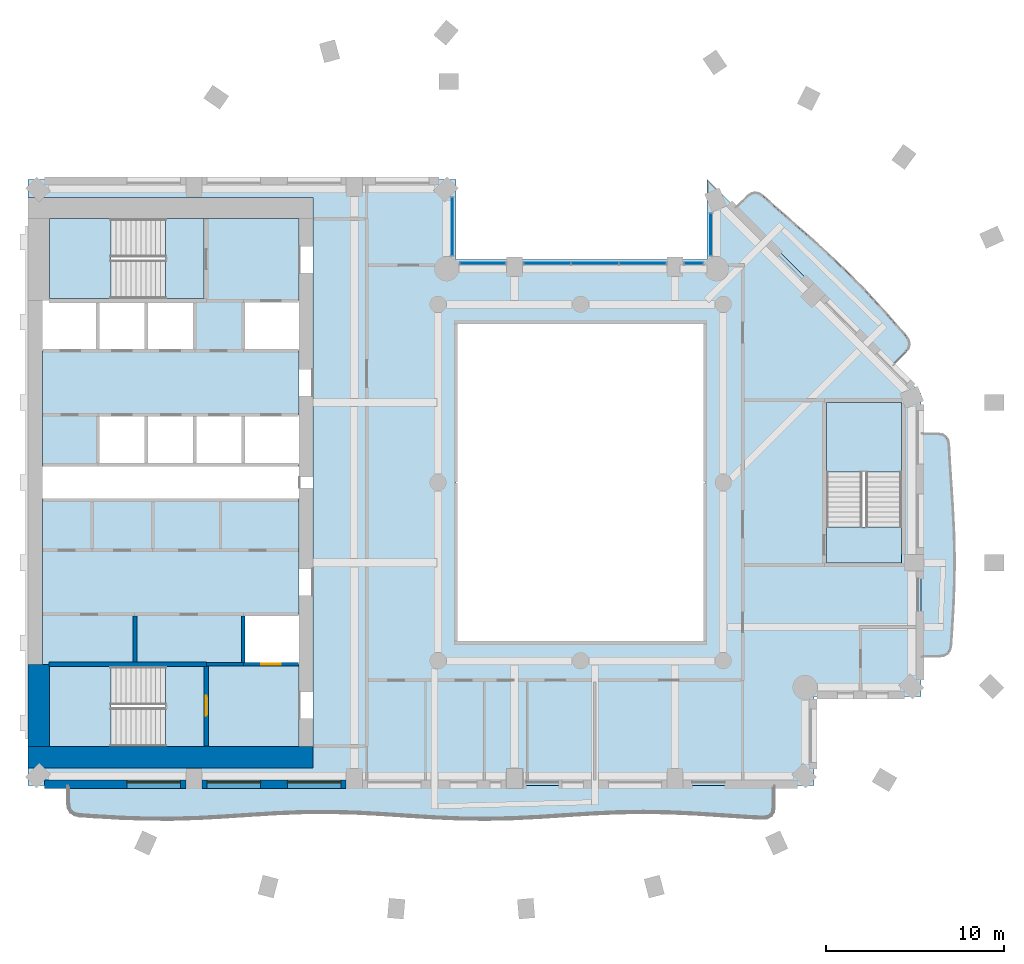
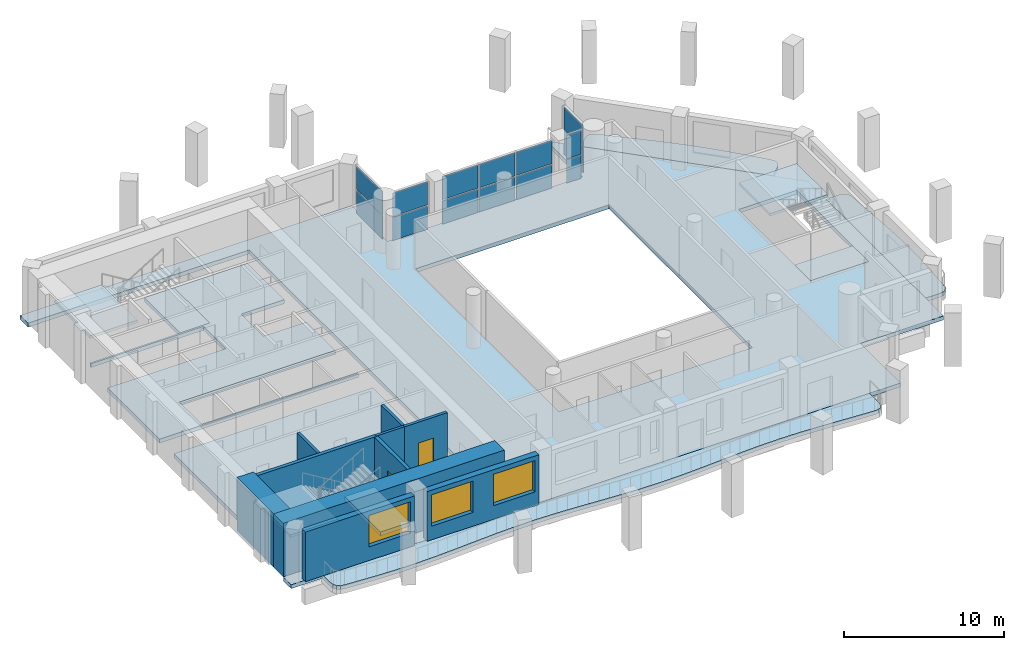
# One storey, part 3 of 13: 14 plates, 12 slabs, 10 walls, 3 windows, 2 doors, 5 openings, 8 elements without a shape of their own.
"""IFC4 building model written with IfcOpenShell, lengths in metres."""

from ifc_helpers import new_model, si_unit, direction, frame, frame_2d, origin, origin_2d, place, context, subcontext, project, spatial, polyline, rectangle, outline, extrude, material, layer, layer_set, type_object, element, fill, aggregate, save


model = new_model("IFC4")

# Units and contexts
model_context = context("Model", 3, precision=1e-05, world=origin(), true_north=direction((0.0, 1.0)))
body_context = subcontext(model_context, "Body", "Model", "MODEL_VIEW")
ifc_project = project(units=[si_unit("LENGTHUNIT", "METRE"), si_unit("AREAUNIT", "SQUARE_METRE"), si_unit("VOLUMEUNIT", "CUBIC_METRE"), si_unit("PLANEANGLEUNIT", "RADIAN"), si_unit("MASSUNIT", "GRAM", prefix="KILO")], contexts=[model_context])

# Site, building, storey
site_placement = place(None, origin())
site = spatial("IfcSite", under=ifc_project, at=site_placement, CompositionType="ELEMENT")
building_placement = place(site_placement, origin())
building = spatial("IfcBuilding", under=site, at=building_placement, Name="Cypress Arch Tower", CompositionType="ELEMENT")
storey_placement = place(building_placement, frame((0.0, 0.0, 189.199951171875)))
storey = spatial("IfcBuildingStorey", under=building, at=storey_placement, Name="L41", CompositionType="ELEMENT", Elevation=189.199951171875)

# Slabs
ifc_material_1 = material(Name="Concrete C40/50", Category="concrete")
ifc_layer_1 = layer(ifc_material_1, 0.300048828125)
ifc_layer_set_1 = layer_set([ifc_layer_1], Name="Balcony slab BS300")
slab_type_1 = type_object("IfcSlabType", Name="Balcony slab BS300", PredefinedType="USERDEFINED", material=ifc_layer_set_1)
slab_1_placement = place(storey_placement, frame((0.0, 0.0, -0.300048828125)))
element("IfcSlab", 1, at=slab_1_placement, inside=storey, type_object=slab_type_1, Name="Balcony slab L41-B01", ObjectType="BALCONY SLAB", PredefinedType="USERDEFINED", context=body_context, shape_type="SweptSolid", body=[
    extrude(outline(polyline([(-27.75, -17.0), (-27.75, -17.98193359375), (-27.708740234375, -18.274169921875), (-27.5849609375, -18.4892578125), (-27.378662109375, -18.626953125), (-27.090087890625, -18.687744140625), (-26.283447265625, -18.741455078125), (-24.816650390625, -18.827392578125), (-23.35009765625, -18.87890625), (-21.88330078125, -18.8828125), (-20.416748046875, -18.83837890625), (-18.949951171875, -18.756591796875), (-17.4833984375, -18.658935546875), (-16.0166015625, -18.570068359375), (-14.550048828125, -18.512939453125), (-13.083251953125, -18.501953125), (-11.61669921875, -18.540283203125), (-10.14990234375, -18.617919921875), (-8.683349609375, -18.715087890625), (-7.216552734375, -18.806640625), (-5.75, -18.869140625), (-4.283447265625, -18.88671875), (-2.816650390625, -18.854736328125), (-1.35009765625, -18.781494140625), (0.11669921875, -18.685791015625), (1.583251953125, -18.592041015625), (3.050048828125, -18.524169921875), (4.5166015625, -18.5), (5.9833984375, -18.525390625), (7.449951171875, -18.593994140625), (8.916748046875, -18.68798828125), (10.38330078125, -18.783447265625), (11.18994140625, -18.823486328125), (11.478759765625, -18.79638671875), (11.68505859375, -18.6826171875), (11.808837890625, -18.482177734375), (11.85009765625, -18.1953125), (11.85009765625, -17.0), (-27.75, -17.0)])), origin(), (0.0, 0.0, 1.0), 0.300048828125),
])
slab_2_placement = place(storey_placement, frame((0.0, 0.0, -0.300048828125)))
element("IfcSlab", 2, at=slab_2_placement, inside=storey, type_object=slab_type_1, Name="Balcony slab L41-B04", ObjectType="BALCONY SLAB", PredefinedType="USERDEFINED", context=body_context, shape_type="SweptSolid", body=[
    extrude(outline(polyline([(20.10009765625, -9.75), (21.1171875, -9.75), (21.393798828125, -9.7109375), (21.597412109375, -9.59375), (21.727783203125, -9.3984375), (21.785400390625, -9.125), (21.83642578125, -8.361083984375), (21.91943359375, -6.97216796875), (21.9736328125, -5.583251953125), (21.986083984375, -4.1943359375), (21.954345703125, -2.8056640625), (21.885498046875, -1.416748046875), (21.79541015625, -0.02783203125), (21.705078125, 1.361083984375), (21.66650390625, 2.125), (21.613525390625, 2.3984375), (21.486328125, 2.59375), (21.284912109375, 2.7109375), (21.00927734375, 2.75), (20.10009765625, 2.75), (20.10009765625, -9.75)])), origin(), (0.0, 0.0, 1.0), 0.300048828125),
])
slab_3_placement = place(storey_placement, frame((0.0, 0.0, -0.300048828125)))
element("IfcSlab", 3, at=slab_3_placement, inside=storey, type_object=slab_type_1, Name="Balcony slab L41-B05", ObjectType="BALCONY SLAB", PredefinedType="USERDEFINED", context=body_context, shape_type="SweptSolid", body=[
    extrude(outline(polyline([(18.509033203125, 6.591064453125), (19.229248046875, 7.311279296875), (19.39697265625, 7.533935546875), (19.457763671875, 7.76025390625), (19.412109375, 7.990234375), (19.259765625, 8.2236328125), (18.7568359375, 8.798583984375), (17.835693359375, 9.8369140625), (16.894287109375, 10.85498046875), (15.923583984375, 11.843994140625), (14.921875, 12.801513671875), (13.893798828125, 13.733154296875), (12.8505859375, 14.6494140625), (11.806884765625, 15.565185546875), (11.240478515625, 16.07666015625), (11.01025390625, 16.232177734375), (10.78271484375, 16.2802734375), (10.557861328125, 16.220703125), (10.335693359375, 16.0537109375), (9.69091796875, 15.408935546875), (18.509033203125, 6.591064453125)])), origin(), (0.0, 0.0, 1.0), 0.300048828125),
])
ifc_material_2 = material(Name="Concrete C40/50", Category="concrete")
ifc_layer_2 = layer(ifc_material_2, 0.300048828125)
ifc_layer_set_2 = layer_set([ifc_layer_2], Name="Core floor CF300")
slab_type_2 = type_object("IfcSlabType", Name="Core floor CF300", PredefinedType="FLOOR", material=ifc_layer_set_2)
slab_4_placement = place(storey_placement, frame((0.0, 0.0, -0.300048828125)))
element("IfcSlab", 4, at=slab_4_placement, inside=storey, type_object=slab_type_2, Name="Core floor", PredefinedType="FLOOR", context=body_context, shape_type="SweptSolid", body=[
    extrude(outline(polyline([(-28.800048828125, -10.199951171875), (-29.199951171875, -10.199951171875), (-29.199951171875, -0.89990234375), (-15.199951171875, -0.89990234375), (-14.800048828125, -0.89990234375), (-14.800048828125, -7.39990234375), (-15.199951171875, -7.39990234375), (-17.919921875, -7.39990234375), (-17.919921875, -10.199951171875), (-15.199951171875, -10.199951171875), (-14.800048828125, -10.199951171875), (-14.800048828125, -14.800048828125), (-15.199951171875, -14.800048828125), (-20.125, -14.800048828125), (-20.125, -10.324951171875), (-22.27490234375, -10.324951171875), (-28.800048828125, -10.324951171875), (-28.800048828125, -10.199951171875)])), origin(), (0.0, 0.0, 1.0), 0.300048828125),
])
slab_5_placement = place(storey_placement, frame((0.0, 0.0, -0.300048828125)))
element("IfcSlab", 5, at=slab_5_placement, inside=storey, type_object=slab_type_2, Name="Core floor", PredefinedType="FLOOR", context=body_context, shape_type="SweptSolid", body=[
    extrude(outline(polyline([(-22.27490234375, -10.324951171875), (-22.27490234375, -14.800048828125), (-20.125, -14.800048828125), (-20.125, -10.324951171875), (-22.27490234375, -10.324951171875)])), origin(), (0.0, 0.0, 1.0), 0.300048828125),
])
slab_6_placement = place(storey_placement, frame((0.0, 0.0, -0.300048828125)))
element("IfcSlab", 6, at=slab_6_placement, inside=storey, type_object=slab_type_2, Name="Core floor", PredefinedType="FLOOR", context=body_context, shape_type="SweptSolid", body=[
    extrude(outline(polyline([(-20.125, 14.800048828125), (-22.27490234375, 14.800048828125), (-22.27490234375, 10.324951171875), (-20.125, 10.324951171875), (-20.125, 14.800048828125)])), origin(), (0.0, 0.0, 1.0), 0.300048828125),
])
slab_7_placement = place(storey_placement, frame((0.0, 0.0, -0.300048828125)))
element("IfcSlab", 7, at=slab_7_placement, inside=storey, type_object=slab_type_2, Name="Stair floor landing", PredefinedType="FLOOR", context=body_context, shape_type="SweptSolid", body=[
    extrude(outline(polyline([(19.0, -4.5), (19.0, -2.5), (14.800048828125, -2.5), (14.800048828125, -4.5), (19.0, -4.5)])), origin(), (0.0, 0.0, 1.0), 0.300048828125),
])
slab_8_placement = place(storey_placement, frame((0.0, 0.0, -0.300048828125)))
element("IfcSlab", 8, at=slab_8_placement, inside=storey, type_object=slab_type_2, Name="Core floor", PredefinedType="FLOOR", context=body_context, shape_type="SweptSolid", body=[
    extrude(outline(polyline([(-20.639892578125, 7.39990234375), (-20.639892578125, 10.199951171875), (-23.360107421875, 10.199951171875), (-26.080078125, 10.199951171875), (-28.800048828125, 10.199951171875), (-28.800048828125, 10.324951171875), (-22.27490234375, 10.324951171875), (-20.125, 10.324951171875), (-20.125, 14.800048828125), (-15.199951171875, 14.800048828125), (-14.800048828125, 14.800048828125), (-14.800048828125, 10.199951171875), (-15.199951171875, 10.199951171875), (-17.919921875, 10.199951171875), (-17.919921875, 7.39990234375), (-15.199951171875, 7.39990234375), (-14.800048828125, 7.39990234375), (-14.800048828125, 3.800048828125), (-15.199951171875, 3.800048828125), (-17.919921875, 3.800048828125), (-20.639892578125, 3.800048828125), (-23.360107421875, 3.800048828125), (-26.080078125, 3.800048828125), (-26.080078125, 1.5), (-26.080078125, 1.5), (-26.080078125, 1.0), (-25.679931640625, 1.0), (-23.360107421875, 1.0), (-20.639892578125, 1.0), (-17.919921875, 1.0), (-15.199951171875, 1.0), (-14.800048828125, 1.0), (-14.800048828125, 0.89990234375), (-15.199951171875, 0.89990234375), (-25.679931640625, 0.89990234375), (-26.47998046875, 0.89990234375), (-29.199951171875, 0.89990234375), (-29.199951171875, 1.5), (-29.199951171875, 7.39990234375), (-26.080078125, 7.39990234375), (-23.360107421875, 7.39990234375), (-20.639892578125, 7.39990234375)])), origin(), (0.0, 0.0, 1.0), 0.300048828125),
])

# Curtain wall, plates
ifc_material_3 = material(Name="Anodised aluminium, bronze finish, clear laminated double glazing", Category="aluminium")
curtain_wall_type = type_object("IfcCurtainWallType", Name="Curtain wall CW7 slot glazing", PredefinedType="NOTDEFINED", material=ifc_material_3)
curtain_wall_1_placement = place(storey_placement, origin())
curtain_wall_1 = element("IfcCurtainWall", 9, at=curtain_wall_1_placement, inside=storey, type_object=curtain_wall_type, Name="Curtain wall L41 slot B06.0", PredefinedType="NOTDEFINED")
ifc_material_4 = material(Name="Clear laminated double glazing", Category="glass")
ifc_layer_3 = layer(ifc_material_4, 0.0439453125)
ifc_layer_set_3 = layer_set([ifc_layer_3], Name="Glass panel CW7 44")
plate_type = type_object("IfcPlateType", Name="Glass panel CW7 44", PredefinedType="CURTAIN_PANEL", material=ifc_layer_set_3)
plate_1_placement = place(storey_placement, frame((8.300048828125, 13.912353515625, 0.0849609375), z_axis=(0.0, 0.0, 1.0), x_axis=(0.0, -1.0, 0.0)))
plate_1 = element("IfcPlate", 10, at=plate_1_placement, type_object=plate_type, Name="CW7 panel 1.1", PredefinedType="CURTAIN_PANEL", context=body_context, shape_type="SweptSolid", body=[
    extrude(rectangle(XDim=2.345458984375, YDim=0.0439453125, at=origin_2d()), origin(), (0.0, 0.0, 1.0), 1.7724609375),
])
plate_2_placement = place(storey_placement, frame((8.300048828125, 13.912353515625, 1.942626953125), z_axis=(0.0, 0.0, 1.0), x_axis=(0.0, -1.0, 0.0)))
plate_2 = element("IfcPlate", 11, at=plate_2_placement, type_object=plate_type, Name="CW7 panel 1.2", PredefinedType="CURTAIN_PANEL", context=body_context, shape_type="SweptSolid", body=[
    extrude(rectangle(XDim=2.345458984375, YDim=0.0439453125, at=origin_2d()), origin(), (0.0, 0.0, 1.0), 1.7724609375),
])
aggregate(curtain_wall_1, [plate_1, plate_2])

curtain_wall_2_placement = place(storey_placement, origin())
curtain_wall_2 = element("IfcCurtainWall", 12, at=curtain_wall_2_placement, inside=storey, type_object=curtain_wall_type, Name="Curtain wall L41 slot B07.0", PredefinedType="NOTDEFINED")
plate_3_placement = place(storey_placement, frame((7.34765625, 12.300048828125, 0.0849609375), z_axis=(0.0, 0.0, 1.0), x_axis=(-1.0, 0.0, 0.0)))
plate_3 = element("IfcPlate", 13, at=plate_3_placement, type_object=plate_type, Name="CW7 panel 1.1", PredefinedType="CURTAIN_PANEL", context=body_context, shape_type="SweptSolid", body=[
    extrude(rectangle(XDim=1.025390625, YDim=0.0439453125, at=origin_2d()), origin(), (0.0, 0.0, 1.0), 1.7724609375),
])
plate_4_placement = place(storey_placement, frame((7.34765625, 12.300048828125, 1.942626953125), z_axis=(0.0, 0.0, 1.0), x_axis=(-1.0, 0.0, 0.0)))
plate_4 = element("IfcPlate", 14, at=plate_4_placement, type_object=plate_type, Name="CW7 panel 1.2", PredefinedType="CURTAIN_PANEL", context=body_context, shape_type="SweptSolid", body=[
    extrude(rectangle(XDim=1.025390625, YDim=0.0439453125, at=origin_2d()), origin(), (0.0, 0.0, 1.0), 1.7724609375),
])
aggregate(curtain_wall_2, [plate_3, plate_4])

curtain_wall_3_placement = place(storey_placement, origin())
curtain_wall_3 = element("IfcCurtainWall", 15, at=curtain_wall_3_placement, inside=storey, type_object=curtain_wall_type, Name="Curtain wall L41 slot B07.1", PredefinedType="NOTDEFINED")
plate_5_placement = place(storey_placement, frame((4.478759765625, 12.300048828125, 0.0849609375), z_axis=(0.0, 0.0, 1.0), x_axis=(-1.0, 0.0, 0.0)))
plate_5 = element("IfcPlate", 16, at=plate_5_placement, type_object=plate_type, Name="CW7 panel 1.1", PredefinedType="CURTAIN_PANEL", context=body_context, shape_type="SweptSolid", body=[
    extrude(rectangle(XDim=2.572509765625, YDim=0.0439453125, at=origin_2d()), origin(), (0.0, 0.0, 1.0), 1.7724609375),
])
plate_6_placement = place(storey_placement, frame((4.478759765625, 12.300048828125, 1.942626953125), z_axis=(0.0, 0.0, 1.0), x_axis=(-1.0, 0.0, 0.0)))
plate_6 = element("IfcPlate", 17, at=plate_6_placement, type_object=plate_type, Name="CW7 panel 1.2", PredefinedType="CURTAIN_PANEL", context=body_context, shape_type="SweptSolid", body=[
    extrude(rectangle(XDim=2.572509765625, YDim=0.0439453125, at=origin_2d()), origin(), (0.0, 0.0, 1.0), 1.7724609375),
])
plate_7_placement = place(storey_placement, frame((1.800048828125, 12.300048828125, 0.0849609375), z_axis=(0.0, 0.0, 1.0), x_axis=(-1.0, 0.0, 0.0)))
plate_7 = element("IfcPlate", 18, at=plate_7_placement, type_object=plate_type, Name="CW7 panel 2.1", PredefinedType="CURTAIN_PANEL", context=body_context, shape_type="SweptSolid", body=[
    extrude(rectangle(XDim=2.614990234375, YDim=0.0439453125, at=origin_2d()), origin(), (0.0, 0.0, 1.0), 1.7724609375),
])
plate_8_placement = place(storey_placement, frame((1.800048828125, 12.300048828125, 1.942626953125), z_axis=(0.0, 0.0, 1.0), x_axis=(-1.0, 0.0, 0.0)))
plate_8 = element("IfcPlate", 19, at=plate_8_placement, type_object=plate_type, Name="CW7 panel 2.2", PredefinedType="CURTAIN_PANEL", context=body_context, shape_type="SweptSolid", body=[
    extrude(rectangle(XDim=2.614990234375, YDim=0.0439453125, at=origin_2d()), origin(), (0.0, 0.0, 1.0), 1.7724609375),
])
plate_9_placement = place(storey_placement, frame((-0.878662109375, 12.300048828125, 0.0849609375), z_axis=(0.0, 0.0, 1.0), x_axis=(-1.0, 0.0, 0.0)))
plate_9 = element("IfcPlate", 20, at=plate_9_placement, type_object=plate_type, Name="CW7 panel 3.1", PredefinedType="CURTAIN_PANEL", context=body_context, shape_type="SweptSolid", body=[
    extrude(rectangle(XDim=2.572509765625, YDim=0.0439453125, at=origin_2d()), origin(), (0.0, 0.0, 1.0), 1.7724609375),
])
plate_10_placement = place(storey_placement, frame((-0.878662109375, 12.300048828125, 1.942626953125), z_axis=(0.0, 0.0, 1.0), x_axis=(-1.0, 0.0, 0.0)))
plate_10 = element("IfcPlate", 21, at=plate_10_placement, type_object=plate_type, Name="CW7 panel 3.2", PredefinedType="CURTAIN_PANEL", context=body_context, shape_type="SweptSolid", body=[
    extrude(rectangle(XDim=2.572509765625, YDim=0.0439453125, at=origin_2d()), origin(), (0.0, 0.0, 1.0), 1.7724609375),
])
aggregate(curtain_wall_3, [plate_5, plate_6, plate_7, plate_8, plate_9, plate_10])

curtain_wall_4_placement = place(storey_placement, origin())
curtain_wall_4 = element("IfcCurtainWall", 22, at=curtain_wall_4_placement, inside=storey, type_object=curtain_wall_type, Name="Curtain wall L41 slot B07.2", PredefinedType="NOTDEFINED")
plate_11_placement = place(storey_placement, frame((-4.497802734375, 12.300048828125, 0.0849609375), z_axis=(0.0, 0.0, 1.0), x_axis=(-1.0, 0.0, 0.0)))
plate_11 = element("IfcPlate", 23, at=plate_11_placement, type_object=plate_type, Name="CW7 panel 1.1", PredefinedType="CURTAIN_PANEL", context=body_context, shape_type="SweptSolid", body=[
    extrude(rectangle(XDim=2.525390625, YDim=0.0439453125, at=origin_2d()), origin(), (0.0, 0.0, 1.0), 1.7724609375),
])
plate_12_placement = place(storey_placement, frame((-4.497802734375, 12.300048828125, 1.942626953125), z_axis=(0.0, 0.0, 1.0), x_axis=(-1.0, 0.0, 0.0)))
plate_12 = element("IfcPlate", 24, at=plate_12_placement, type_object=plate_type, Name="CW7 panel 1.2", PredefinedType="CURTAIN_PANEL", context=body_context, shape_type="SweptSolid", body=[
    extrude(rectangle(XDim=2.525390625, YDim=0.0439453125, at=origin_2d()), origin(), (0.0, 0.0, 1.0), 1.7724609375),
])
aggregate(curtain_wall_4, [plate_11, plate_12])

curtain_wall_5_placement = place(storey_placement, origin())
curtain_wall_5 = element("IfcCurtainWall", 25, at=curtain_wall_5_placement, inside=storey, type_object=curtain_wall_type, Name="Curtain wall L41 slot B08.0", PredefinedType="NOTDEFINED")
plate_13_placement = place(storey_placement, frame((-6.199951171875, 14.359130859375, 0.0849609375), z_axis=(0.0, 0.0, 1.0), x_axis=(0.0, 1.0, 0.0)))
plate_13 = element("IfcPlate", 26, at=plate_13_placement, type_object=plate_type, Name="CW7 panel 1.1", PredefinedType="CURTAIN_PANEL", context=body_context, shape_type="SweptSolid", body=[
    extrude(rectangle(XDim=3.239013671875, YDim=0.0439453125, at=origin_2d()), origin(), (0.0, 0.0, 1.0), 1.7724609375),
])
plate_14_placement = place(storey_placement, frame((-6.199951171875, 14.359130859375, 1.942626953125), z_axis=(0.0, 0.0, 1.0), x_axis=(0.0, 1.0, 0.0)))
plate_14 = element("IfcPlate", 27, at=plate_14_placement, type_object=plate_type, Name="CW7 panel 1.2", PredefinedType="CURTAIN_PANEL", context=body_context, shape_type="SweptSolid", body=[
    extrude(rectangle(XDim=3.239013671875, YDim=0.0439453125, at=origin_2d()), origin(), (0.0, 0.0, 1.0), 1.7724609375),
])
aggregate(curtain_wall_5, [plate_13, plate_14])

# Slab
ifc_material_5 = material(Name="Concrete C40/50", Category="concrete")
ifc_layer_4 = layer(ifc_material_5, 0.300048828125)
ifc_layer_set_4 = layer_set([ifc_layer_4], Name="PT flat slab 300 Concrete C40/50")
slab_type_3 = type_object("IfcSlabType", Name="PT flat slab 300 Concrete C40/50", PredefinedType="FLOOR", material=ifc_layer_set_4)
slab_9_placement = place(storey_placement, frame((0.0, 0.0, -0.300048828125)))
element("IfcSlab", 28, at=slab_9_placement, inside=storey, type_object=slab_type_3, Name="Floor slab L41", PredefinedType="FLOOR", context=body_context, shape_type="SweptSolid", body=[
    extrude(outline(polyline([(-30.0, 17.0), (-6.0, 17.0), (-6.0, 12.5), (8.10009765625, 12.5), (8.10009765625, 17.0), (20.10009765625, 5.0), (20.10009765625, -12.0), (14.10009765625, -12.0), (14.10009765625, -17.0), (-30.0, -17.0), (-30.0, -16.0), (-14.0, -16.0), (-14.0, 16.0), (-30.0, 16.0), (-30.0, 17.0)]), holes=[polyline([(-6.0, -9.0), (8.0, -9.0), (8.0, 9.0), (-6.0, 9.0), (-6.0, -9.0)]), polyline([(14.800048828125, -4.5), (19.0, -4.5), (19.0, 4.5), (14.800048828125, 4.5), (14.800048828125, -4.5)])]), origin(), (0.0, 0.0, 1.0), 0.300048828125),
])

# Stair, slab
ifc_material_6 = material(Name="Concrete C40/50", Category="concrete")
stair_type_1 = type_object("IfcStairType", Name="Exit stair ES1708-215", PredefinedType="HALF_TURN_STAIR", material=ifc_material_6)
stair_1_placement = place(storey_placement, origin())
stair_1 = element("IfcStair", 29, at=stair_1_placement, inside=storey, type_object=stair_type_1, Name="L41 Exit stair A", PredefinedType="HALF_TURN_STAIR")
ifc_material_7 = material(Name="Concrete C40/50", Category="concrete")
ifc_layer_5 = layer(ifc_material_7, 0.199951171875)
ifc_layer_set_5 = layer_set([ifc_layer_5], Name="Stair landing SL200")
slab_type_4 = type_object("IfcSlabType", Name="Stair landing SL200", PredefinedType="LANDING", material=ifc_layer_set_5)
slab_10_placement = place(storey_placement, frame((0.0, 0.0, 1.85009765625)))
slab_10 = element("IfcSlab", 30, at=slab_10_placement, type_object=slab_type_4, Name="A landing 1", PredefinedType="LANDING", context=body_context, shape_type="SweptSolid", body=[
    extrude(outline(polyline([(-25.35498046875, -10.324951171875), (-28.800048828125, -10.324951171875), (-28.800048828125, -14.800048828125), (-25.35498046875, -14.800048828125), (-25.35498046875, -10.324951171875)])), origin(), (0.0, 0.0, 1.0), 0.199951171875),
])
aggregate(stair_1, [slab_10])

stair_2_placement = place(storey_placement, origin())
stair_2 = element("IfcStair", 31, at=stair_2_placement, inside=storey, type_object=stair_type_1, Name="L41 Exit stair B", PredefinedType="HALF_TURN_STAIR")
slab_11_placement = place(storey_placement, frame((0.0, 0.0, 1.85009765625)))
slab_11 = element("IfcSlab", 32, at=slab_11_placement, type_object=slab_type_4, Name="B landing 1", PredefinedType="LANDING", context=body_context, shape_type="SweptSolid", body=[
    extrude(outline(polyline([(-25.35498046875, 14.800048828125), (-28.800048828125, 14.800048828125), (-28.800048828125, 10.324951171875), (-25.35498046875, 10.324951171875), (-25.35498046875, 14.800048828125)])), origin(), (0.0, 0.0, 1.0), 0.199951171875),
])
aggregate(stair_2, [slab_11])

ifc_material_8 = material(Name="Concrete C40/50", Category="concrete")
stair_type_2 = type_object("IfcStairType", Name="Exit stair ES1708-200", PredefinedType="HALF_TURN_STAIR", material=ifc_material_8)
stair_3_placement = place(storey_placement, origin())
stair_3 = element("IfcStair", 33, at=stair_3_placement, inside=storey, type_object=stair_type_2, Name="L41 Exit stair C", PredefinedType="HALF_TURN_STAIR")
slab_12_placement = place(storey_placement, frame((0.0, 0.0, 1.85009765625)))
slab_12 = element("IfcSlab", 34, at=slab_12_placement, type_object=slab_type_4, Name="C landing 1", PredefinedType="LANDING", context=body_context, shape_type="SweptSolid", body=[
    extrude(outline(polyline([(19.0, 0.580078125), (19.0, 4.5), (14.800048828125, 4.5), (14.800048828125, 0.580078125), (19.0, 0.580078125)])), origin(), (0.0, 0.0, 1.0), 0.199951171875),
])
aggregate(stair_3, [slab_12])

# Wall, opening, window
ifc_material_9 = material(Name="Brick (red buff blend)", Category="masonry")
ifc_layer_6 = layer(ifc_material_9, 0.449951171875)
ifc_layer_set_6 = layer_set([ifc_layer_6], Name="Brick pier and spandrel wall BW450")
wall_type_1 = type_object("IfcWallType", Name="Brick pier and spandrel wall BW450", PredefinedType="SOLIDWALL", material=ifc_layer_set_6)
wall_1_placement = place(storey_placement, frame((-29.063720703125, -16.925048828125, 0.0), z_axis=(0.0, 0.0, 1.0), x_axis=(1.0, 0.0, 0.0)))
wall_1 = element("IfcWall", 35, at=wall_1_placement, inside=storey, type_object=wall_type_1, Name="Brick wall L41 B01.0", PredefinedType="SOLIDWALL", context=body_context, shape_type="SweptSolid", body=[
    extrude(rectangle(XDim=7.913818359375, YDim=0.449951171875, at=frame_2d((3.95703125, 0.0))), origin(), (0.0, 0.0, 1.0), 3.800048828125),
])
opening_1_placement = place(wall_1_placement, frame((4.613525390625, 0.0, 1.050048828125)))
opening_1 = element("IfcOpeningElement", 36, at=opening_1_placement, cuts=wall_1, Name="Opening W300OD", PredefinedType="OPENING", context=body_context, shape_type="SweptSolid", body=[
    extrude(rectangle(XDim=3.0, YDim=2.39990234375, at=frame_2d((1.5, 1.199951171875))), frame((0.0, 0.23486328125, 0.0), z_axis=(0.0, -1.0, 0.0), x_axis=(1.0, 0.0, 0.0)), (0.0, 0.0, 1.0), 0.469970703125),
])
ifc_material_10 = material(Name="Anodised aluminium, bronze finish, laminated low-emissivity double glazing, large-missile impact rated", Category="aluminium")
window_type = type_object("IfcWindowType", Name="Window Office 3000x2400 debris-rated", PartitioningType="SINGLE_PANEL", PredefinedType="WINDOW", material=ifc_material_10)
window_1_placement = place(opening_1_placement, origin())
window_1 = element("IfcWindow", 37, at=window_1_placement, inside=storey, type_object=window_type, Name="Window L41 B01.0.2", OverallHeight=2.39990234375, OverallWidth=3.0, PartitioningType="SINGLE_PANEL", PredefinedType="WINDOW", context=body_context, shape_type="SweptSolid", body=[
    extrude(rectangle(XDim=3.0, YDim=2.39990234375, at=frame_2d((1.5, 1.199951171875))), frame((0.0, 0.135009765625, 0.0), z_axis=(0.0, -1.0, 0.0), x_axis=(1.0, 0.0, 0.0)), (0.0, 0.0, 1.0), 0.06005859375),
])
fill(opening_1, window_1)

# Wall, openings, windows
wall_2_placement = place(storey_placement, frame((-20.25, -16.925048828125, 0.0), z_axis=(0.0, 0.0, 1.0), x_axis=(1.0, 0.0, 0.0)))
wall_2 = element("IfcWall", 38, at=wall_2_placement, inside=storey, type_object=wall_type_1, Name="Brick wall L41 B01.1", PredefinedType="SOLIDWALL", context=body_context, shape_type="SweptSolid", body=[
    extrude(rectangle(XDim=8.10009765625, YDim=0.449951171875, at=frame_2d((4.050048828125, 0.0))), origin(), (0.0, 0.0, 1.0), 3.800048828125),
])
opening_2_placement = place(wall_2_placement, frame((0.300048828125, 0.0, 1.050048828125)))
opening_2 = element("IfcOpeningElement", 39, at=opening_2_placement, cuts=wall_2, Name="Opening W300OD", PredefinedType="OPENING", context=body_context, shape_type="SweptSolid", body=[
    extrude(rectangle(XDim=3.0, YDim=2.39990234375, at=frame_2d((1.5, 1.199951171875))), frame((0.0, 0.23486328125, 0.0), z_axis=(0.0, -1.0, 0.0), x_axis=(1.0, 0.0, 0.0)), (0.0, 0.0, 1.0), 0.469970703125),
])
opening_3_placement = place(wall_2_placement, frame((4.800048828125, 0.0, 1.050048828125)))
opening_3 = element("IfcOpeningElement", 40, at=opening_3_placement, cuts=wall_2, Name="Opening W300OD", PredefinedType="OPENING", context=body_context, shape_type="SweptSolid", body=[
    extrude(rectangle(XDim=3.0, YDim=2.39990234375, at=frame_2d((1.5, 1.199951171875))), frame((0.0, 0.23486328125, 0.0), z_axis=(0.0, -1.0, 0.0), x_axis=(1.0, 0.0, 0.0)), (0.0, 0.0, 1.0), 0.469970703125),
])
window_2_placement = place(opening_2_placement, origin())
window_2 = element("IfcWindow", 41, at=window_2_placement, inside=storey, type_object=window_type, Name="Window L41 B01.1.1", OverallHeight=2.39990234375, OverallWidth=3.0, PartitioningType="SINGLE_PANEL", PredefinedType="WINDOW", context=body_context, shape_type="SweptSolid", body=[
    extrude(rectangle(XDim=3.0, YDim=2.39990234375, at=frame_2d((1.5, 1.199951171875))), frame((0.0, 0.135009765625, 0.0), z_axis=(0.0, -1.0, 0.0), x_axis=(1.0, 0.0, 0.0)), (0.0, 0.0, 1.0), 0.06005859375),
])
fill(opening_2, window_2)
window_3_placement = place(opening_3_placement, origin())
window_3 = element("IfcWindow", 42, at=window_3_placement, inside=storey, type_object=window_type, Name="Window L41 B01.1.2", OverallHeight=2.39990234375, OverallWidth=3.0, PartitioningType="SINGLE_PANEL", PredefinedType="WINDOW", context=body_context, shape_type="SweptSolid", body=[
    extrude(rectangle(XDim=3.0, YDim=2.39990234375, at=frame_2d((1.5, 1.199951171875))), frame((0.0, 0.135009765625, 0.0), z_axis=(0.0, -1.0, 0.0), x_axis=(1.0, 0.0, 0.0)), (0.0, 0.0, 1.0), 0.06005859375),
])
fill(opening_3, window_3)

# Walls
ifc_material_11 = material(Name="Concrete C70/85", Category="concrete")
ifc_layer_7 = layer(ifc_material_11, 1.199951171875)
ifc_layer_set_7 = layer_set([ifc_layer_7], Name="Core wall CW1200 C70/85")
wall_type_2 = type_object("IfcWallType", Name="Core wall CW1200 C70/85", PredefinedType="SHEAR", material=ifc_layer_set_7)
wall_3_placement = place(storey_placement, frame((-30.0, -15.39990234375, 0.0), z_axis=(0.0, 0.0, 1.0), x_axis=(1.0, 0.0, 0.0)))
element("IfcWall", 43, at=wall_3_placement, inside=storey, type_object=wall_type_2, Name="Core wall", PredefinedType="SHEAR", context=body_context, shape_type="SweptSolid", body=[
    extrude(rectangle(XDim=16.0, YDim=1.199951171875, at=frame_2d((8.0, 0.0))), origin(), (0.0, 0.0, 1.0), 4.10009765625),
])
wall_4_placement = place(storey_placement, frame((-29.39990234375, -14.800048828125, 0.0), z_axis=(0.0, 0.0, 1.0), x_axis=(0.0, 1.0, 0.0)))
element("IfcWall", 44, at=wall_4_placement, inside=storey, type_object=wall_type_2, Name="Core wall", PredefinedType="SHEAR", context=body_context, shape_type="SweptSolid", body=[
    extrude(rectangle(XDim=4.60009765625, YDim=1.199951171875, at=frame_2d((2.300048828125, 0.0))), origin(), (0.0, 0.0, 1.0), 4.10009765625),
])
ifc_material_12 = material(Name="Reinforced blockwork, plastered, rated", Category="masonry")
ifc_layer_8 = layer(ifc_material_12, 0.199951171875)
ifc_layer_set_8 = layer_set([ifc_layer_8], Name="Plant and riser wall PL200")
wall_type_3 = type_object("IfcWallType", Name="Plant and riser wall PL200", PredefinedType="PARTITIONING", material=ifc_layer_set_8)
wall_5_placement = place(storey_placement, frame((-24.0, -10.074951171875, 0.0), z_axis=(0.0, 0.0, 1.0), x_axis=(0.0, 1.0, 0.0)))
element("IfcWall", 45, at=wall_5_placement, inside=storey, type_object=wall_type_3, Name="Plant and riser wall", PredefinedType="PARTITIONING", context=body_context, shape_type="SweptSolid", body=[
    extrude(rectangle(XDim=2.574951171875, YDim=0.199951171875, at=frame_2d((1.28759765625, 0.0))), origin(), (0.0, 0.0, 1.0), 3.800048828125),
])
wall_6_placement = place(storey_placement, frame((-20.0, -10.199951171875, 0.0), z_axis=(0.0, 0.0, 1.0), x_axis=(1.0, 0.0, 0.0)))
element("IfcWall", 46, at=wall_6_placement, inside=storey, type_object=wall_type_3, Name="Plant and riser wall", PredefinedType="PARTITIONING", context=body_context, shape_type="SweptSolid", body=[
    extrude(rectangle(XDim=2.080078125, YDim=0.199951171875, at=frame_2d((1.0400390625, 0.0))), origin(), (0.0, 0.0, 1.0), 3.800048828125),
])
ifc_material_13 = material(Name="Concrete C50/60", Category="concrete")
ifc_layer_9 = layer(ifc_material_13, 0.199951171875)
ifc_layer_set_9 = layer_set([ifc_layer_9], Name="Shaft wall SH200")
wall_type_4 = type_object("IfcWallType", Name="Shaft wall SH200", PredefinedType="SHEAR", material=ifc_layer_set_9)
wall_7_placement = place(storey_placement, frame((-17.919921875, -10.10009765625, 0.0), z_axis=(0.0, 0.0, 1.0), x_axis=(0.0, 1.0, 0.0)))
element("IfcWall", 47, at=wall_7_placement, inside=storey, type_object=wall_type_4, Name="Shaft wall", PredefinedType="SHEAR", context=body_context, shape_type="SweptSolid", body=[
    extrude(rectangle(XDim=2.60009765625, YDim=0.199951171875, at=frame_2d((1.300048828125, 0.0))), origin(), (0.0, 0.0, 1.0), 3.800048828125),
])

# Wall, opening, door
wall_8_placement = place(storey_placement, frame((-17.919921875, -10.199951171875, 0.0), z_axis=(0.0, 0.0, 1.0), x_axis=(1.0, 0.0, 0.0)))
wall_8 = element("IfcWall", 48, at=wall_8_placement, inside=storey, type_object=wall_type_4, Name="Shaft wall", PredefinedType="SHEAR", context=body_context, shape_type="SweptSolid", body=[
    extrude(rectangle(XDim=3.08984375, YDim=0.199951171875, at=frame_2d((1.544921875, 0.0))), origin(), (0.0, 0.0, 1.0), 3.800048828125),
])
opening_4_placement = place(wall_8_placement, frame((1.0, 0.0, 0.0)))
opening_4 = element("IfcOpeningElement", 49, at=opening_4_placement, cuts=wall_8, Name="Opening LD-FL1", PredefinedType="OPENING", context=body_context, shape_type="SweptSolid", body=[
    extrude(rectangle(XDim=1.10009765625, YDim=2.199951171875, at=frame_2d((0.550048828125, 1.10009765625))), frame((0.0, 0.10986328125, 0.0), z_axis=(0.0, -1.0, 0.0), x_axis=(1.0, 0.0, 0.0)), (0.0, 0.0, 1.0), 0.219970703125),
])
ifc_material_14 = material(Name="Stainless steel centre-opening landing door, rated", Category="steel")
door_type_1 = type_object("IfcDoorType", Name="Lift landing door LD 1100x2200", OperationType="DOUBLE_DOOR_SLIDING", PredefinedType="DOOR", material=ifc_material_14)
door_1_placement = place(opening_4_placement, origin())
door_1 = element("IfcDoor", 50, at=door_1_placement, inside=storey, type_object=door_type_1, Name="Lift landing doors FL1", OperationType="DOUBLE_DOOR_SLIDING", OverallHeight=2.199951171875, OverallWidth=1.10009765625, PredefinedType="DOOR", context=body_context, shape_type="SweptSolid", body=[
    extrude(rectangle(XDim=1.10009765625, YDim=2.199951171875, at=frame_2d((0.550048828125, 1.10009765625))), frame((0.0, 0.02490234375, 0.0), z_axis=(0.0, -1.0, 0.0), x_axis=(1.0, 0.0, 0.0)), (0.0, 0.0, 1.0), 0.050048828125),
])
fill(opening_4, door_1)

# Wall
ifc_material_15 = material(Name="Concrete C50/60", Category="concrete")
ifc_layer_10 = layer(ifc_material_15, 0.25)
ifc_layer_set_10 = layer_set([ifc_layer_10], Name="Stair enclosure wall SW250")
wall_type_5 = type_object("IfcWallType", Name="Stair enclosure wall SW250", PredefinedType="SHEAR", material=ifc_layer_set_10)
wall_9_placement = place(storey_placement, frame((-28.81005859375, -10.199951171875, 0.0), z_axis=(0.0, 0.0, 1.0), x_axis=(1.0, 0.0, 0.0)))
element("IfcWall", 51, at=wall_9_placement, inside=storey, type_object=wall_type_5, Name="Stair enclosure wall", PredefinedType="SHEAR", context=body_context, shape_type="SweptSolid", body=[
    extrude(rectangle(XDim=8.81005859375, YDim=0.25, at=frame_2d((4.405029296875, 0.0))), origin(), (0.0, 0.0, 1.0), 3.800048828125),
])

# Wall, opening, door
wall_10_placement = place(storey_placement, frame((-20.0, -14.77001953125, 0.0), z_axis=(0.0, 0.0, 1.0), x_axis=(0.0, 1.0, 0.0)))
wall_10 = element("IfcWall", 52, at=wall_10_placement, inside=storey, type_object=wall_type_5, Name="Stair enclosure wall", PredefinedType="SHEAR", context=body_context, shape_type="SweptSolid", body=[
    extrude(rectangle(XDim=4.445068359375, YDim=0.25, at=frame_2d((2.22265625, 0.0))), origin(), (0.0, 0.0, 1.0), 3.800048828125),
])
opening_5_placement = place(wall_10_placement, frame((1.699951171875, 0.0, 0.0)))
opening_5 = element("IfcOpeningElement", 53, at=opening_5_placement, cuts=wall_10, Name="Opening D06", PredefinedType="OPENING", context=body_context, shape_type="SweptSolid", body=[
    extrude(rectangle(XDim=1.10009765625, YDim=2.199951171875, at=frame_2d((0.550048828125, 1.10009765625))), frame((0.0, 0.135009765625, 0.0), z_axis=(0.0, -1.0, 0.0), x_axis=(1.0, 0.0, 0.0)), (0.0, 0.0, 1.0), 0.27001953125),
])
ifc_material_16 = material(Name="Steel door, fire resisting, panic bar", Category="steel")
door_type_2 = type_object("IfcDoorType", Name="Stair door D06 1100x2200", OperationType="SINGLE_SWING_LEFT", PredefinedType="DOOR", material=ifc_material_16)
door_2_placement = place(opening_5_placement, origin())
door_2 = element("IfcDoor", 54, at=door_2_placement, inside=storey, type_object=door_type_2, Name="Stair door", OperationType="SINGLE_SWING_RIGHT", OverallHeight=2.199951171875, OverallWidth=1.10009765625, PredefinedType="DOOR", context=body_context, shape_type="SweptSolid", body=[
    extrude(rectangle(XDim=1.10009765625, YDim=2.199951171875, at=frame_2d((0.550048828125, 1.10009765625))), frame((0.0, 0.02490234375, 0.0), z_axis=(0.0, -1.0, 0.0), x_axis=(1.0, 0.0, 0.0)), (0.0, 0.0, 1.0), 0.050048828125),
])
fill(opening_5, door_2)

save(model, "model.ifc")
